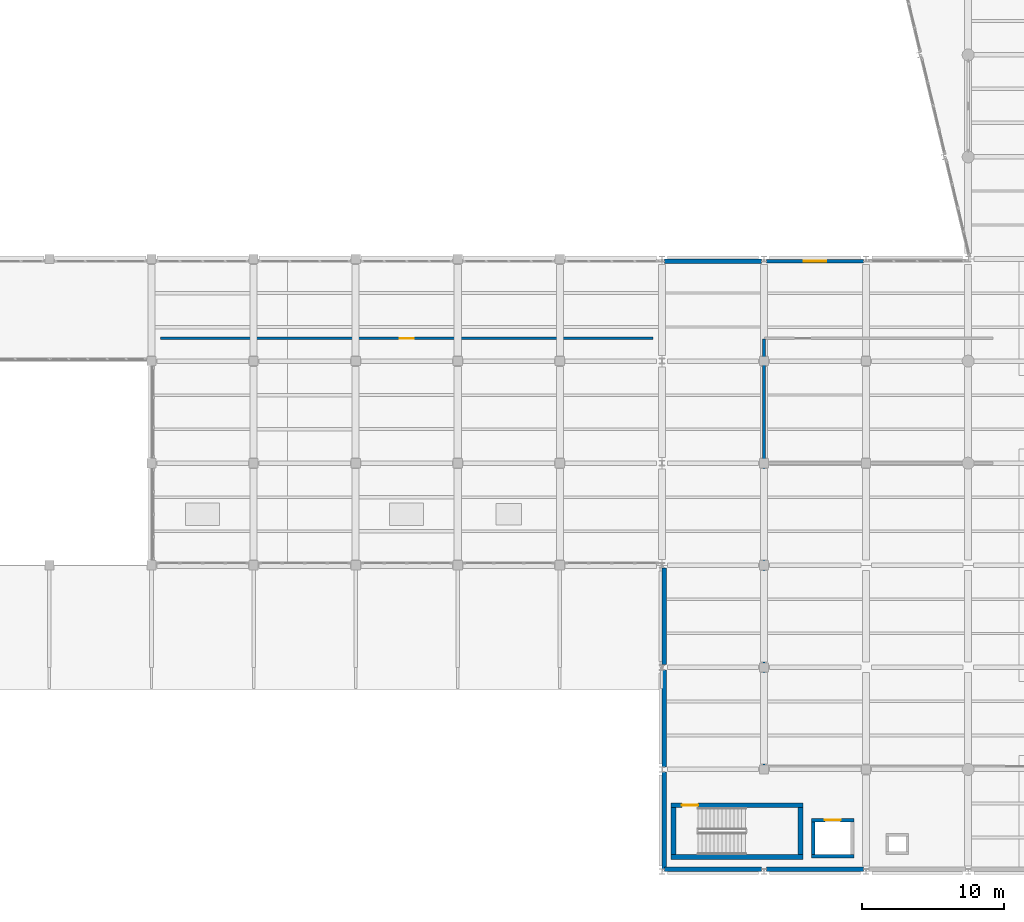
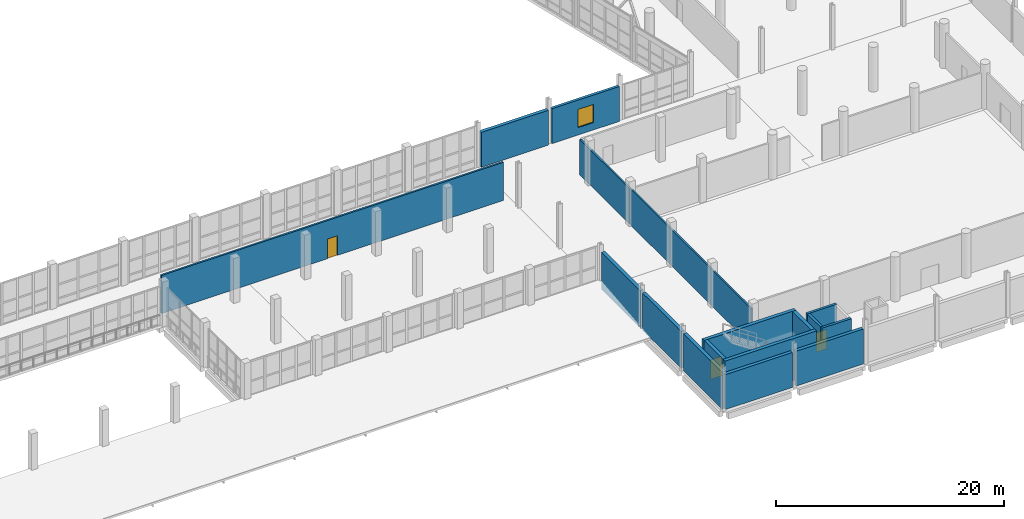
# One storey, part 95 of 127: 17 walls, 3 doors, 1 window, 4 openings.
"""IFC4 building model written with IfcOpenShell, lengths in metres."""

from ifc_helpers import new_model, si_unit, direction, frame, frame_2d, origin, place, context, subcontext, project, spatial, rectangle, extrude, material, layer, layer_set, type_object, element, fill, save


model = new_model("IFC4")

# Units and contexts
model_context = context("Model", 3, precision=1e-05, world=origin(), true_north=direction((0.0, 1.0)))
body_context = subcontext(model_context, "Body", "Model", "MODEL_VIEW")
ifc_project = project(units=[si_unit("LENGTHUNIT", "METRE"), si_unit("AREAUNIT", "SQUARE_METRE"), si_unit("VOLUMEUNIT", "CUBIC_METRE"), si_unit("PLANEANGLEUNIT", "RADIAN"), si_unit("MASSUNIT", "GRAM", prefix="KILO")], contexts=[model_context])

# Site, building, storey
site_placement = place(None, origin())
site = spatial("IfcSite", under=ifc_project, at=site_placement, CompositionType="ELEMENT")
building_placement = place(site_placement, origin())
building = spatial("IfcBuilding", under=site, at=building_placement, Name="Kalmorath City Hall", CompositionType="ELEMENT")
storey_placement = place(building_placement, frame((0.0, 0.0, 5.39990234375)))
storey = spatial("IfcBuildingStorey", under=building, at=storey_placement, Name="L01", CompositionType="ELEMENT", Elevation=5.39990234375)

# Walls
ifc_material_1 = material(Name="Precast concrete C40/50", Category="concrete")
ifc_layer_1 = layer(ifc_material_1, 0.340087890625)
ifc_layer_set_1 = layer_set([ifc_layer_1], Name="Precast concrete C40/50")
wall_type_1 = type_object("IfcWallType", Name="Chamber acoustic precast wall 340", PredefinedType="SOLIDWALL", material=ifc_layer_set_1)
wall_1_placement = place(storey_placement, frame((129.412109375, 0.159912109375, 0.0), z_axis=(0.0, 0.0, 1.0), x_axis=(-1.0, 0.0, 0.0)))
element("IfcWall", 1, at=wall_1_placement, inside=storey, type_object=wall_type_1, Name="L01 chamber acoustic wall #281", PredefinedType="SOLIDWALL", context=body_context, shape_type="SweptSolid", body=[
    extrude(rectangle(XDim=6.82421875, YDim=0.340087890625, at=frame_2d((3.412109375, 0.0))), origin(), (0.0, 0.0, 1.0), 3.7509765625),
])
wall_2_placement = place(storey_placement, frame((122.2119140625, 0.159912109375, 0.0), z_axis=(0.0, 0.0, 1.0), x_axis=(-1.0, 0.0, 0.0)))
element("IfcWall", 2, at=wall_2_placement, inside=storey, type_object=wall_type_1, Name="L01 chamber acoustic wall #282", PredefinedType="SOLIDWALL", context=body_context, shape_type="SweptSolid", body=[
    extrude(rectangle(XDim=6.823974609375, YDim=0.340087890625, at=frame_2d((3.412109375, 0.0))), origin(), (0.0, 0.0, 1.0), 3.7509765625),
])
for number, where, z_axis, x_axis, name in (
    (3, (115.360107421875, 0.18701171875, 0.0), (0.0, 0.0, 1.0), (0.0, 1.0, 0.0), "L01 chamber acoustic wall #283"),
    (4, (115.360107421875, 7.386962890625, 0.0), (0.0, 0.0, 1.0), (0.0, 1.0, 0.0), "L01 chamber acoustic wall #284"),
):
    element("IfcWall", number, at=place(storey_placement, frame(where, z_axis=z_axis, x_axis=x_axis)), inside=storey, type_object=wall_type_1, Name=name, PredefinedType="SOLIDWALL", context=body_context, shape_type="SweptSolid", body=[
        extrude(rectangle(XDim=6.825927734375, YDim=0.340087890625, at=frame_2d((3.4130859375, 0.0))), origin(), (0.0, 0.0, 1.0), 3.97607421875),
    ])
wall_3_placement = place(storey_placement, frame((115.360107421875, 14.5869140625, 0.0), z_axis=(0.0, 0.0, 1.0), x_axis=(0.0, 1.0, 0.0)))
element("IfcWall", 5, at=wall_3_placement, inside=storey, type_object=wall_type_1, Name="L01 chamber acoustic wall #285", PredefinedType="SOLIDWALL", context=body_context, shape_type="SweptSolid", body=[
    extrude(rectangle(XDim=6.826171875, YDim=0.340087890625, at=frame_2d((3.4130859375, 0.0))), origin(), (0.0, 0.0, 1.0), 3.97607421875),
])
wall_4_placement = place(storey_placement, frame((115.387939453125, 43.0400390625, 0.0), z_axis=(0.0, 0.0, 1.0), x_axis=(1.0, 0.0, 0.0)))
element("IfcWall", 6, at=wall_4_placement, inside=storey, type_object=wall_type_1, Name="L01 chamber acoustic wall #321", PredefinedType="SOLIDWALL", context=body_context, shape_type="SweptSolid", body=[
    extrude(rectangle(XDim=6.823974609375, YDim=0.340087890625, at=frame_2d((3.412109375, 0.0))), origin(), (0.0, 0.0, 1.0), 3.7509765625),
])
ifc_material_2 = material(Name="High-STC double-stud acoustic partition")
ifc_layer_2 = layer(ifc_material_2, 0.1650390625)
ifc_layer_set_2 = layer_set([ifc_layer_2], Name="High-STC double-stud acoustic partition")
wall_type_2 = type_object("IfcWallType", Name="Chamber and committee acoustic partition 165", PredefinedType="PARTITIONING", material=ifc_layer_set_2)
wall_5_placement = place(storey_placement, frame((122.39990234375, 7.43994140625, 0.0), z_axis=(0.0, 0.0, 1.0), x_axis=(0.0, 1.0, 0.0)))
element("IfcWall", 7, at=wall_5_placement, inside=storey, type_object=wall_type_2, Name="L01 interior partition PW3 #80", PredefinedType="PARTITIONING", context=body_context, shape_type="SweptSolid", body=[
    extrude(rectangle(XDim=21.320068359375, YDim=0.1650390625, at=frame_2d((10.66015625, 0.0))), origin(), (0.0, 0.0, 1.0), 3.88916015625),
])
ifc_material_3 = material(Name="Concrete C50/60", Category="concrete")
ifc_layer_3 = layer(ifc_material_3, 0.35009765625)
ifc_layer_set_3 = layer_set([ifc_layer_3], Name="Concrete C50/60")
wall_type_3 = type_object("IfcWallType", Name="Concrete core shear wall 350", PredefinedType="SHEAR", material=ifc_layer_set_3)
wall_6_placement = place(storey_placement, frame((115.85009765625, 1.02490234375, 0.0), z_axis=(0.0, 0.0, 1.0), x_axis=(1.0, 0.0, 0.0)))
element("IfcWall", 8, at=wall_6_placement, inside=storey, type_object=wall_type_3, Name="L01 C5 stair core shear wall S", PredefinedType="SHEAR", context=body_context, shape_type="SweptSolid", body=[
    extrude(rectangle(XDim=9.2998046875, YDim=0.35009765625, at=frame_2d((4.64990234375, 0.0))), origin(), (0.0, 0.0, 1.0), 4.52001953125),
])

# Wall, opening, door
wall_7_placement = place(storey_placement, frame((125.14990234375, 4.675048828125, 0.0), z_axis=(0.0, 0.0, 1.0), x_axis=(-1.0, 0.0, 0.0)))
wall_7 = element("IfcWall", 9, at=wall_7_placement, inside=storey, type_object=wall_type_3, Name="L01 C5 stair core shear wall N", PredefinedType="SHEAR", context=body_context, shape_type="SweptSolid", body=[
    extrude(rectangle(XDim=9.2998046875, YDim=0.35009765625, at=frame_2d((4.64990234375, 0.0))), origin(), (0.0, 0.0, 1.0), 4.52001953125),
])
opening_1_placement = place(wall_7_placement, frame((7.39990234375, 0.0, 0.0)))
opening_1 = element("IfcOpeningElement", 10, at=opening_1_placement, cuts=wall_7, Name="Opening D-L01-091", PredefinedType="OPENING", context=body_context, shape_type="SweptSolid", body=[
    extrude(rectangle(XDim=1.14990234375, YDim=2.10009765625, at=frame_2d((0.574951171875, 1.050048828125))), frame((0.0, 0.18505859375, 0.0), z_axis=(0.0, -1.0, 0.0), x_axis=(1.0, 0.0, 0.0)), (0.0, 0.0, 1.0), 0.3701171875),
])
ifc_material_4 = material(Name="Galvanised steel fire door", Category="steel")
door_type_1 = type_object("IfcDoorType", Name="Stair enclosure 90-min fire door 1150x2100", OperationType="NOTDEFINED", PredefinedType="DOOR", material=ifc_material_4)
door_1_placement = place(opening_1_placement, frame((1.14990234375, 0.0, 0.0), z_axis=(0.0, 0.0, 1.0), x_axis=(-1.0, 0.0, 0.0)))
door_1 = element("IfcDoor", 11, at=door_1_placement, inside=storey, type_object=door_type_1, Name="L01 door D-L01-091", OperationType="SINGLE_SWING_LEFT", OverallHeight=2.10009765625, OverallWidth=1.14990234375, PredefinedType="DOOR", context=body_context, shape_type="SweptSolid", body=[
    extrude(rectangle(XDim=1.14990234375, YDim=2.10009765625, at=frame_2d((0.574951171875, 1.050048828125))), frame((0.0, 0.02490234375, 0.0), z_axis=(0.0, -1.0, 0.0), x_axis=(1.0, 0.0, 0.0)), (0.0, 0.0, 1.0), 0.050048828125),
])
fill(opening_1, door_1)

# Walls
for number, where, z_axis, x_axis, name in (
    (12, (116.02490234375, 4.5, 0.0), (0.0, 0.0, 1.0), (0.0, -1.0, 0.0), "L01 C5 stair core shear wall W"),
    (13, (124.97509765625, 1.199951171875, 0.0), (0.0, 0.0, 1.0), (0.0, 1.0, 0.0), "L01 C5 stair core shear wall E"),
):
    element("IfcWall", number, at=place(storey_placement, frame(where, z_axis=z_axis, x_axis=x_axis)), inside=storey, type_object=wall_type_3, Name=name, PredefinedType="SHEAR", context=body_context, shape_type="SweptSolid", body=[
        extrude(rectangle(XDim=3.300048828125, YDim=0.35009765625, at=frame_2d((1.64990234375, 0.0))), origin(), (0.0, 0.0, 1.0), 4.52001953125),
    ])
ifc_material_5 = material(Name="Concrete C50/60", Category="concrete")
ifc_layer_4 = layer(ifc_material_5, 0.25)
ifc_layer_set_4 = layer_set([ifc_layer_4], Name="Concrete C50/60")
wall_type_4 = type_object("IfcWallType", Name="Concrete lift shaft wall 250", PredefinedType="SHEAR", material=ifc_layer_set_4)
wall_8_placement = place(storey_placement, frame((125.75, 1.074951171875, 0.0), z_axis=(0.0, 0.0, 1.0), x_axis=(1.0, 0.0, 0.0)))
element("IfcWall", 14, at=wall_8_placement, inside=storey, type_object=wall_type_4, Name="L01 PL5 lift shaft wall -y", PredefinedType="SHEAR", context=body_context, shape_type="SweptSolid", body=[
    extrude(rectangle(XDim=3.0, YDim=0.25, at=frame_2d((1.5, 0.0))), origin(), (0.0, 0.0, 1.0), 4.52001953125),
])

# Wall, opening, door
wall_9_placement = place(storey_placement, frame((128.75, 3.625, 0.0), z_axis=(0.0, 0.0, 1.0), x_axis=(-1.0, 0.0, 0.0)))
wall_9 = element("IfcWall", 15, at=wall_9_placement, inside=storey, type_object=wall_type_4, Name="L01 PL5 lift shaft wall +y", PredefinedType="SHEAR", context=body_context, shape_type="SweptSolid", body=[
    extrude(rectangle(XDim=3.0, YDim=0.25, at=frame_2d((1.5, 0.0))), origin(), (0.0, 0.0, 1.0), 4.52001953125),
])
opening_2_placement = place(wall_9_placement, frame((0.949951171875, 0.0, 0.0)))
opening_2 = element("IfcOpeningElement", 16, at=opening_2_placement, cuts=wall_9, Name="Opening LD-095", PredefinedType="OPENING", context=body_context, shape_type="SweptSolid", body=[
    extrude(rectangle(XDim=1.10009765625, YDim=2.10009765625, at=frame_2d((0.550048828125, 1.050048828125))), frame((0.0, 0.135009765625, 0.0), z_axis=(0.0, -1.0, 0.0), x_axis=(1.0, 0.0, 0.0)), (0.0, 0.0, 1.0), 0.27001953125),
])
ifc_material_6 = material(Name="Stainless steel sliding landing door", Category="steel")
door_type_2 = type_object("IfcDoorType", Name="Passenger lift sliding landing door 1100x2100", OperationType="SLIDING_TO_LEFT", PredefinedType="DOOR", material=ifc_material_6)
door_2_placement = place(opening_2_placement, origin())
door_2 = element("IfcDoor", 17, at=door_2_placement, inside=storey, type_object=door_type_2, Name="L01 door LD-095", OperationType="SLIDING_TO_LEFT", OverallHeight=2.10009765625, OverallWidth=1.10009765625, PredefinedType="DOOR", context=body_context, shape_type="SweptSolid", body=[
    extrude(rectangle(XDim=1.10009765625, YDim=2.10009765625, at=frame_2d((0.550048828125, 1.050048828125))), frame((0.0, 0.02490234375, 0.0), z_axis=(0.0, -1.0, 0.0), x_axis=(1.0, 0.0, 0.0)), (0.0, 0.0, 1.0), 0.050048828125),
])
fill(opening_2, door_2)

# Wall
wall_10_placement = place(storey_placement, frame((125.875, 3.5, 0.0), z_axis=(0.0, 0.0, 1.0), x_axis=(0.0, -1.0, 0.0)))
element("IfcWall", 18, at=wall_10_placement, inside=storey, type_object=wall_type_4, Name="L01 PL5 lift shaft wall -x", PredefinedType="SHEAR", context=body_context, shape_type="SweptSolid", body=[
    extrude(rectangle(XDim=2.300048828125, YDim=0.25, at=frame_2d((1.14990234375, 0.0))), origin(), (0.0, 0.0, 1.0), 4.52001953125),
])

# Wall, opening, window
ifc_material_7 = material(Name="Precast concrete C40/50", Category="concrete")
ifc_layer_5 = layer(ifc_material_7, 0.27001953125)
ifc_layer_set_5 = layer_set([ifc_layer_5], Name="Precast concrete C40/50")
wall_type_5 = type_object("IfcWallType", Name="Library splayed facade wall 270", PredefinedType="SOLIDWALL", material=ifc_layer_set_5)
wall_11_placement = place(storey_placement, frame((122.587890625, 43.0400390625, 0.0), z_axis=(0.0, 0.0, 1.0), x_axis=(1.0, 0.0, 0.0)))
wall_11 = element("IfcWall", 19, at=wall_11_placement, inside=storey, type_object=wall_type_5, Name="L01 library wall #322", PredefinedType="SOLIDWALL", context=body_context, shape_type="SweptSolid", body=[
    extrude(rectangle(XDim=6.82421875, YDim=0.27001953125, at=frame_2d((3.412109375, 0.0))), origin(), (0.0, 0.0, 1.0), 3.7509765625),
])
opening_3_placement = place(wall_11_placement, frame((2.612060546875, 0.0, 0.800048828125)))
opening_3 = element("IfcOpeningElement", 20, at=opening_3_placement, cuts=wall_11, Name="Opening WN15", PredefinedType="OPENING", context=body_context, shape_type="SweptSolid", body=[
    extrude(rectangle(XDim=1.60009765625, YDim=1.949951171875, at=frame_2d((0.800048828125, 0.97509765625))), frame((0.0, 0.14501953125, 0.0), z_axis=(0.0, -1.0, 0.0), x_axis=(1.0, 0.0, 0.0)), (0.0, 0.0, 1.0), 0.2900390625),
])
ifc_material_8 = material(Name="Bronze-anodised aluminium and glass", Category="aluminium")
window_type = type_object("IfcWindowType", Name="Library stacks window 1600x1950", PartitioningType="SINGLE_PANEL", PredefinedType="WINDOW", material=ifc_material_8)
window_placement = place(opening_3_placement, origin())
window = element("IfcWindow", 21, at=window_placement, inside=storey, type_object=window_type, Name="L01 window WN15-153", OverallHeight=1.949951171875, OverallWidth=1.60009765625, PartitioningType="SINGLE_PANEL", PredefinedType="WINDOW", context=body_context, shape_type="SweptSolid", body=[
    extrude(rectangle(XDim=1.60009765625, YDim=1.949951171875, at=frame_2d((0.800048828125, 0.97509765625))), frame((0.0, 0.030029296875, 0.0), z_axis=(0.0, -1.0, 0.0), x_axis=(1.0, 0.0, 0.0)), (0.0, 0.0, 1.0), 0.06005859375),
])
fill(opening_3, window)

# Wall, opening, door
ifc_material_9 = material(Name="Fire-rated acoustic gypsum partition")
ifc_layer_6 = layer(ifc_material_9, 0.179931640625)
ifc_layer_set_6 = layer_set([ifc_layer_6], Name="Fire-rated acoustic gypsum partition")
wall_type_6 = type_object("IfcWallType", Name="One-hour corridor fire partition 180", PredefinedType="PARTITIONING", material=ifc_layer_set_6)
wall_12_placement = place(storey_placement, frame((79.840087890625, 37.60009765625, 0.0), z_axis=(0.0, 0.0, 1.0), x_axis=(1.0, 0.0, 0.0)))
wall_12 = element("IfcWall", 22, at=wall_12_placement, inside=storey, type_object=wall_type_6, Name="L01 interior partition PW2 #78", PredefinedType="PARTITIONING", context=body_context, shape_type="SweptSolid", body=[
    extrude(rectangle(XDim=34.719970703125, YDim=0.179931640625, at=frame_2d((17.35986328125, 0.0))), origin(), (0.0, 0.0, 1.0), 4.090087890625),
])
opening_4_placement = place(wall_12_placement, frame((16.860107421875, 0.0, 0.0)))
opening_4 = element("IfcOpeningElement", 23, at=opening_4_placement, cuts=wall_12, Name="Opening D-L01-168", PredefinedType="OPENING", context=body_context, shape_type="SweptSolid", body=[
    extrude(rectangle(XDim=1.0, YDim=2.10009765625, at=frame_2d((0.5, 1.050048828125))), frame((0.0, 0.099853515625, 0.0), z_axis=(0.0, -1.0, 0.0), x_axis=(1.0, 0.0, 0.0)), (0.0, 0.0, 1.0), 0.199951171875),
])
ifc_material_10 = material(Name="Hardwood fire door", Category="wood")
door_type_3 = type_object("IfcDoorType", Name="Corridor 60-min fire door 1000x2100", OperationType="NOTDEFINED", PredefinedType="DOOR", material=ifc_material_10)
door_3_placement = place(opening_4_placement, origin())
door_3 = element("IfcDoor", 24, at=door_3_placement, inside=storey, type_object=door_type_3, Name="L01 door D-L01-168", OperationType="SINGLE_SWING_RIGHT", OverallHeight=2.10009765625, OverallWidth=1.0, PredefinedType="DOOR", context=body_context, shape_type="SweptSolid", body=[
    extrude(rectangle(XDim=1.0, YDim=2.10009765625, at=frame_2d((0.5, 1.050048828125))), frame((0.0, 0.02490234375, 0.0), z_axis=(0.0, -1.0, 0.0), x_axis=(1.0, 0.0, 0.0)), (0.0, 0.0, 1.0), 0.050048828125),
])
fill(opening_4, door_3)

# Wall
wall_13_placement = place(storey_placement, frame((122.39990234375, 28.840087890625, 0.0), z_axis=(0.0, 0.0, 1.0), x_axis=(0.0, 1.0, 0.0)))
element("IfcWall", 25, at=wall_13_placement, inside=storey, type_object=wall_type_6, Name="L01 interior partition PW2 #81", PredefinedType="PARTITIONING", context=body_context, shape_type="SweptSolid", body=[
    extrude(rectangle(XDim=8.719970703125, YDim=0.179931640625, at=frame_2d((4.35986328125, 0.0))), origin(), (0.0, 0.0, 1.0), 3.801025390625),
])

save(model, "model.ifc")
